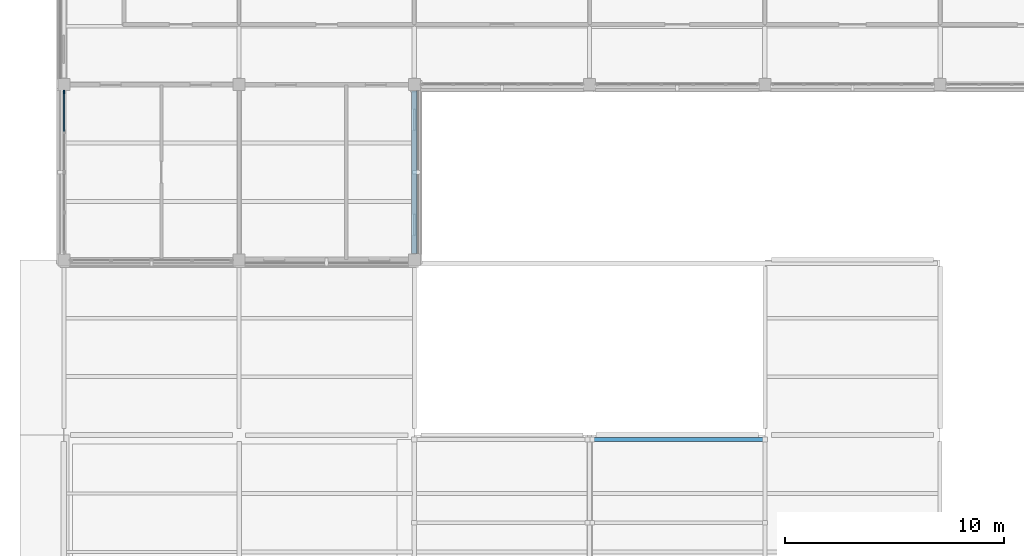
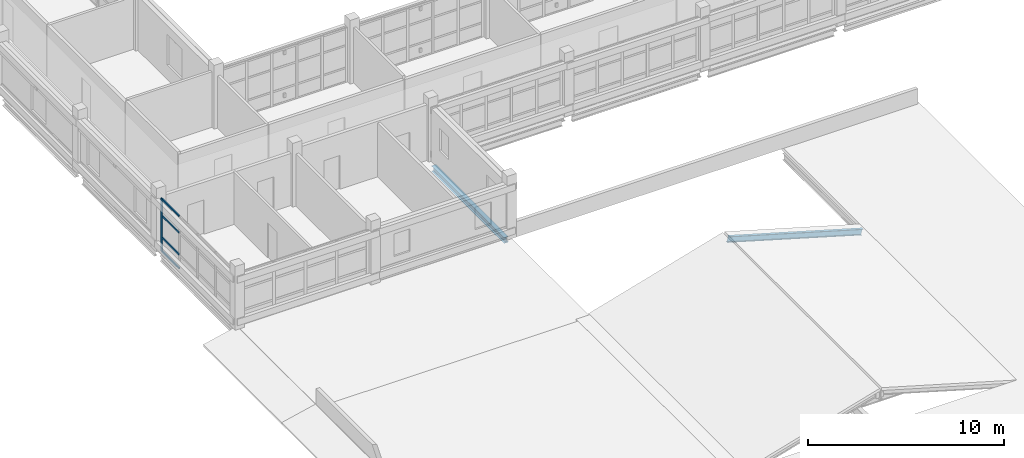
# One storey, part 9 of 107: 6 members, 1 beam, 1 element without a shape of its own.
"""IFC4 building model written with IfcOpenShell, lengths in metres."""

from ifc_helpers import new_model, si_unit, derived_unit, direction, frame, origin, origin_2d, place, context, subcontext, project, spatial, rectangle, i_section, extrude, material, layer, layer_set, material_profile, profile_set, type_object, element, aggregate, save


model = new_model("IFC4")

# Units and contexts
model_context = context("Model", 3, precision=1e-05, world=origin(), true_north=direction((0.0, 1.0)))
body_context = subcontext(model_context, "Body", "Model", "MODEL_VIEW")
ifc_project = project(units=[si_unit("LENGTHUNIT", "METRE"), si_unit("AREAUNIT", "SQUARE_METRE"), si_unit("VOLUMEUNIT", "CUBIC_METRE"), si_unit("PLANEANGLEUNIT", "RADIAN"), si_unit("MASSUNIT", "GRAM", prefix="KILO"), derived_unit("THERMALTRANSMITTANCEUNIT", [(si_unit("MASSUNIT", "GRAM", prefix="KILO"), 1), (si_unit("TIMEUNIT", "SECOND"), -3), (si_unit("THERMODYNAMICTEMPERATUREUNIT", "KELVIN"), -1)])], contexts=[model_context])

# Site, building, storey
site_placement = place(None, origin())
site = spatial("IfcSite", under=ifc_project, at=site_placement, CompositionType="ELEMENT")
building_placement = place(site_placement, origin())
building = spatial("IfcBuilding", under=site, at=building_placement, Name="Veyamyaing Civic Hall", CompositionType="ELEMENT")
storey_placement = place(building_placement, frame((0.0, 0.0, 13.860107421875)))
storey = spatial("IfcBuildingStorey", under=building, at=storey_placement, Name="L03", CompositionType="ELEMENT", Elevation=13.860107421875)

# Beam
ifc_material_1 = material(Name="Steel ASTM A992", Category="steel")
ifc_material_profile_1 = material_profile(ifc_material_1, i_section(OverallWidth=0.25390625, OverallDepth=0.35302734375, WebThickness=0.009521484375, FlangeThickness=0.016357421875, FilletRadius=0.011962890625, at=origin_2d()), Name="W360X91")
ifc_profile_set_1 = profile_set([ifc_material_profile_1], Name="Steel ASTM A992")
beam_type = type_object("IfcBeamType", Name="B-20", PredefinedType="SPANDREL", material=ifc_profile_set_1)
beam_placement = place(storey_placement, frame((16.0, 40.300048828125, -0.431640625), z_axis=(0.0, 1.0, 0.0), x_axis=(-1.0, 0.0, 0.0)))
element("IfcBeam", 1, at=beam_placement, inside=storey, type_object=beam_type, Name="Girder B-20 L03 Grid 3 F-G", PredefinedType="SPANDREL", context=body_context, shape_type="SweptSolid", body=[
    extrude(i_section(OverallWidth=0.25390625, OverallDepth=0.35302734375, WebThickness=0.009521484375, FlangeThickness=0.016357421875, FilletRadius=0.011962890625, at=origin_2d()), origin(), (0.0, 0.0, 1.0), 7.39990234375),
])

# Curtain wall, members
ifc_material_2 = material(Name="Anodised aluminium 6063-T6", Category="aluminium")
ifc_layer = layer(ifc_material_2, 0.159912109375, Name="Anodised aluminium 6063-T6")
ifc_layer_set = layer_set([ifc_layer], Name="Anodised aluminium 6063-T6")
curtain_wall_type = type_object("IfcCurtainWallType", Name="CW-07", PredefinedType="NOTDEFINED", material=ifc_layer_set)
curtain_wall_placement = place(storey_placement, origin())
curtain_wall = element("IfcCurtainWall", 2, at=curtain_wall_placement, inside=storey, type_object=curtain_wall_type, Name="Unitized curtain wall CW-07 L03 W 1.6", PredefinedType="NOTDEFINED")
ifc_material_profile_2 = material_profile(ifc_material_2, rectangle(XDim=0.06494140625, YDim=0.159912109375, at=origin_2d()), Name="ALU-MUL-65X160")
ifc_profile_set_2 = profile_set([ifc_material_profile_2], Name="Anodised aluminium 6063-T6")
member_type_1 = type_object("IfcMemberType", Name="CWM-01", PredefinedType="MULLION", material=ifc_profile_set_2)
member_1_placement = place(storey_placement, frame((0.0, 47.66259765625, 0.0), z_axis=(0.0, 0.0, 1.0), x_axis=(-1.0, 0.0, 0.0)))
member_1 = element("IfcMember", 3, at=member_1_placement, type_object=member_type_1, Name="CW-07 mullion 5", PredefinedType="MULLION", context=body_context, shape_type="SweptSolid", body=[
    extrude(rectangle(XDim=0.06494140625, YDim=0.159912109375, at=origin_2d()), origin(), (0.0, 0.0, 1.0), 3.2998046875),
])
ifc_material_profile_3 = material_profile(ifc_material_2, rectangle(XDim=0.06494140625, YDim=0.1201171875, at=origin_2d()), Name="ALU-TRN-65X120")
ifc_profile_set_3 = profile_set([ifc_material_profile_3], Name="Anodised aluminium 6063-T6")
member_type_2 = type_object("IfcMemberType", Name="CWT-01", PredefinedType="USERDEFINED", material=ifc_profile_set_3)
member_2_placement = place(storey_placement, frame((0.0, 45.8798828125, 0.032470703125), z_axis=(0.0, 1.0, 0.0), x_axis=(-1.0, 0.0, 0.0)))
member_2 = element("IfcMember", 4, at=member_2_placement, type_object=member_type_2, Name="CW-07 transom 4.1", ObjectType="TRANSOM", PredefinedType="USERDEFINED", context=body_context, shape_type="SweptSolid", body=[
    extrude(rectangle(XDim=0.06494140625, YDim=0.1201171875, at=origin_2d()), origin(), (0.0, 0.0, 1.0), 1.75),
])
member_3_placement = place(storey_placement, frame((0.0, 45.8798828125, 0.89990234375), z_axis=(0.0, 1.0, 0.0), x_axis=(-1.0, 0.0, 0.0)))
member_3 = element("IfcMember", 5, at=member_3_placement, type_object=member_type_2, Name="CW-07 transom 4.2", ObjectType="TRANSOM", PredefinedType="USERDEFINED", context=body_context, shape_type="SweptSolid", body=[
    extrude(rectangle(XDim=0.06494140625, YDim=0.1201171875, at=origin_2d()), origin(), (0.0, 0.0, 1.0), 1.75),
])
member_4_placement = place(storey_placement, frame((0.0, 45.8798828125, 2.243896484375), z_axis=(0.0, 1.0, 0.0), x_axis=(-1.0, 0.0, 0.0)))
member_4 = element("IfcMember", 6, at=member_4_placement, type_object=member_type_2, Name="CW-07 transom 4.3", ObjectType="TRANSOM", PredefinedType="USERDEFINED", context=body_context, shape_type="SweptSolid", body=[
    extrude(rectangle(XDim=0.06494140625, YDim=0.1201171875, at=origin_2d()), origin(), (0.0, 0.0, 1.0), 1.75),
])
member_5_placement = place(storey_placement, frame((0.0, 45.8798828125, 3.267333984375), z_axis=(0.0, 1.0, 0.0), x_axis=(-1.0, 0.0, 0.0)))
member_5 = element("IfcMember", 7, at=member_5_placement, type_object=member_type_2, Name="CW-07 transom 4.4", ObjectType="TRANSOM", PredefinedType="USERDEFINED", context=body_context, shape_type="SweptSolid", body=[
    extrude(rectangle(XDim=0.06494140625, YDim=0.1201171875, at=origin_2d()), origin(), (0.0, 0.0, 1.0), 1.75),
])
aggregate(curtain_wall, [member_1, member_2, member_3, member_4, member_5])

# Member
ifc_material_profile_4 = material_profile(ifc_material_1, i_section(OverallWidth=0.1708984375, OverallDepth=0.35205078125, WebThickness=0.0068359375, FlangeThickness=0.009765625, FilletRadius=0.010009765625, at=origin_2d()), Name="W360X44")
ifc_profile_set_4 = profile_set([ifc_material_profile_4], Name="Steel ASTM A992")
member_type_3 = type_object("IfcMemberType", Name="RF-01", PredefinedType="RAFTER", material=ifc_profile_set_4)
member_6_placement = place(storey_placement, frame((32.0, 31.800048828125, -0.35009765625), z_axis=(-0.960133486901, 0.0, 0.279541924102), x_axis=(0.0, -1.0, 0.0)))
element("IfcMember", 8, at=member_6_placement, inside=storey, type_object=member_type_3, Name="Public Hall Lantern Rafter RF-01 E.5", PredefinedType="RAFTER", context=body_context, shape_type="SweptSolid", body=[
    extrude(i_section(OverallWidth=0.1708984375, OverallDepth=0.35205078125, WebThickness=0.0068359375, FlangeThickness=0.009765625, FilletRadius=0.010009765625, at=origin_2d()), origin(), (0.0, 0.0, 1.0), 8.22802734375),
])

save(model, "model.ifc")
